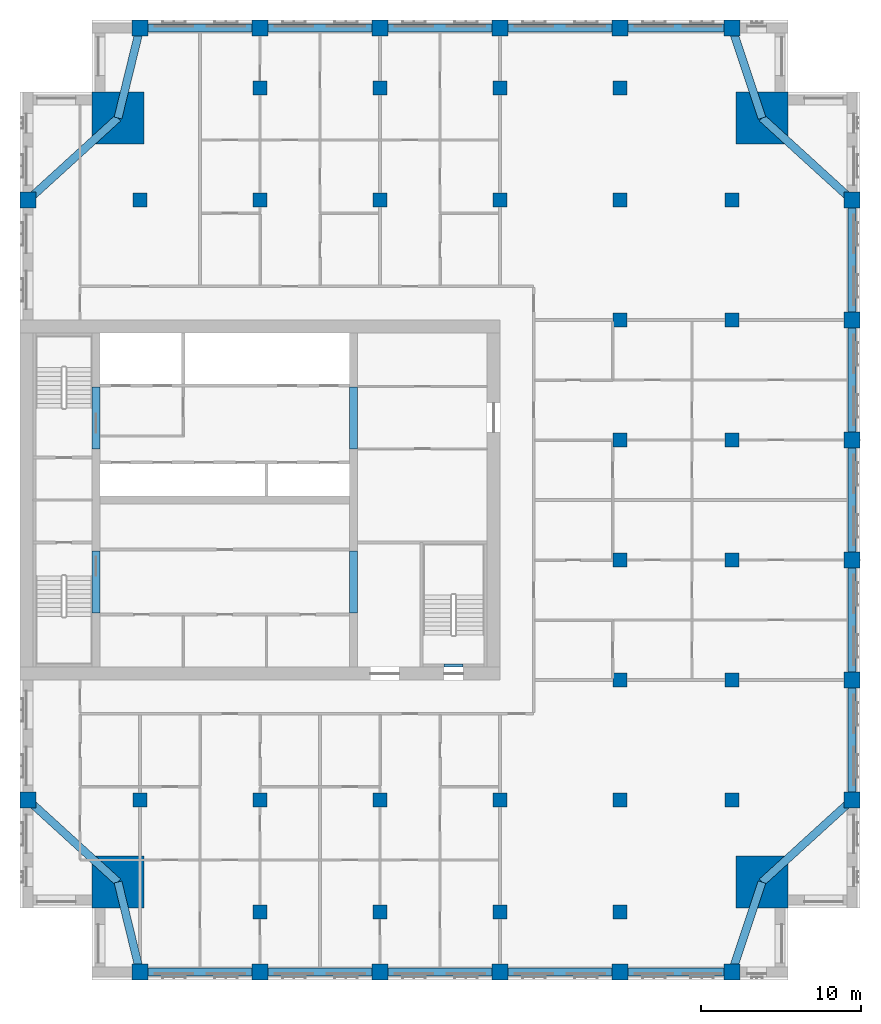
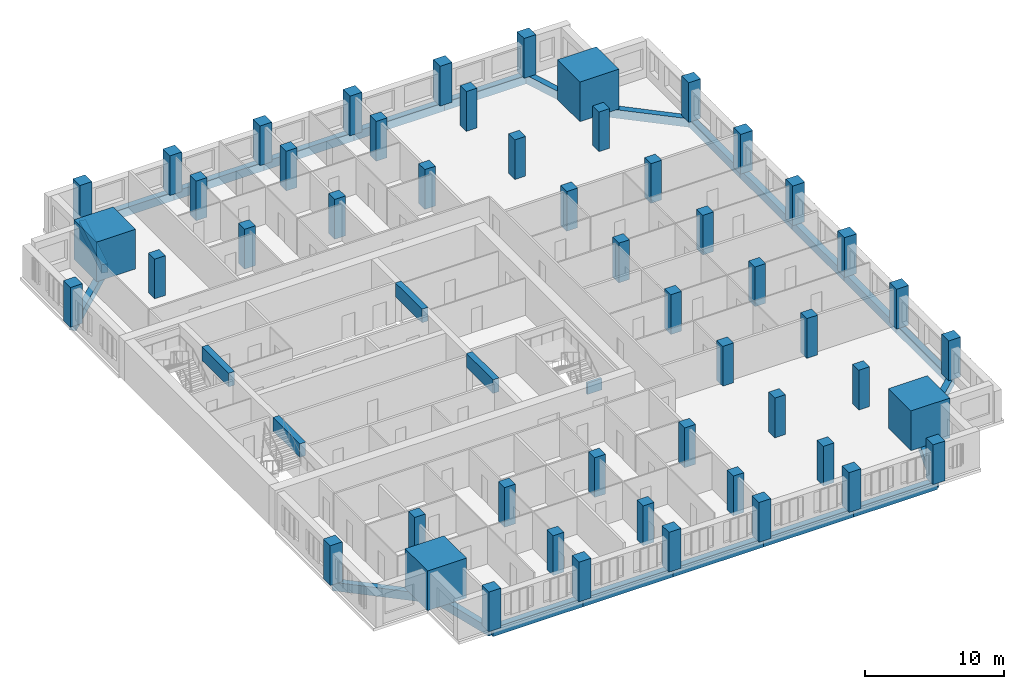
# One storey, part 1 of 14: 52 columns, 28 beams.
"""IFC4 building model written with IfcOpenShell, lengths in metres."""

from ifc_helpers import new_model, si_unit, direction, frame, origin, origin_2d, place, context, subcontext, project, spatial, rectangle, extrude, material, material_profile, profile_set, type_object, element, save


model = new_model("IFC4")

# Units and contexts
model_context = context("Model", 3, precision=1e-05, world=origin(), true_north=direction((0.0, 1.0)))
body_context = subcontext(model_context, "Body", "Model", "MODEL_VIEW")
ifc_project = project(units=[si_unit("LENGTHUNIT", "METRE"), si_unit("AREAUNIT", "SQUARE_METRE"), si_unit("VOLUMEUNIT", "CUBIC_METRE"), si_unit("PLANEANGLEUNIT", "RADIAN"), si_unit("MASSUNIT", "GRAM", prefix="KILO")], contexts=[model_context])

# Site, building, storey
site_placement = place(None, origin())
site = spatial("IfcSite", under=ifc_project, at=site_placement, CompositionType="ELEMENT")
building_placement = place(site_placement, origin())
building = spatial("IfcBuilding", under=site, at=building_placement, Name="Tamorin Gate", CompositionType="ELEMENT")
storey_placement = place(building_placement, frame((0.0, 0.0, 179.199951171875)))
storey = spatial("IfcBuildingStorey", under=building, at=storey_placement, Name="L43", CompositionType="ELEMENT", Elevation=179.199951171875)

# Columns
ifc_material_1 = material(Name="Concrete C60/75", Category="concrete")
ifc_material_profile_1 = material_profile(ifc_material_1, rectangle(XDim=1.0, YDim=1.0, at=origin_2d()), Name="RC 1000x1000")
ifc_profile_set_1 = profile_set([ifc_material_profile_1], Name="Concrete C60/75")
column_type_1 = type_object("IfcColumnType", Name="RC column 1000x1000 C60/75", PredefinedType="COLUMN", material=ifc_profile_set_1)
for number, where, z_axis, x_axis, name in (
    (1, (37.5, 41.75, 0.0), (0.0, 0.0, 1.0), (1.0, 0.0, 0.0), "Ring column L43"),
    (2, (45.0, 41.75, 0.0), (0.0, 0.0, 1.0), (1.0, 0.0, 0.0), "Ring column L43"),
    (3, (52.5, 41.75, 0.0), (0.0, 0.0, 1.0), (1.0, 0.0, 0.0), "Ring column L43"),
    (4, (60.0, 41.75, 0.0), (0.0, 0.0, 1.0), (1.0, 0.0, 0.0), "Ring column L43"),
    (5, (67.5, 41.75, 0.0), (0.0, 0.0, 1.0), (1.0, 0.0, 0.0), "Ring column L43"),
    (6, (74.5, 41.75, 0.0), (0.0, 0.0, 1.0), (1.0, 0.0, 0.0), "Ring column L43"),
    (7, (37.5, 100.75, 0.0), (0.0, 0.0, 1.0), (1.0, 0.0, 0.0), "Ring column L43"),
    (8, (45.0, 100.75, 0.0), (0.0, 0.0, 1.0), (1.0, 0.0, 0.0), "Ring column L43"),
    (9, (52.5, 100.75, 0.0), (0.0, 0.0, 1.0), (1.0, 0.0, 0.0), "Ring column L43"),
    (10, (60.0, 100.75, 0.0), (0.0, 0.0, 1.0), (1.0, 0.0, 0.0), "Ring column L43"),
    (11, (67.5, 100.75, 0.0), (0.0, 0.0, 1.0), (1.0, 0.0, 0.0), "Ring column L43"),
    (12, (74.5, 100.75, 0.0), (0.0, 0.0, 1.0), (1.0, 0.0, 0.0), "Ring column L43"),
    (13, (30.5, 52.5, 0.0), (0.0, 0.0, 1.0), (1.0, 0.0, 0.0), "Ring column L43"),
    (14, (30.5, 90.0, 0.0), (0.0, 0.0, 1.0), (1.0, 0.0, 0.0), "Ring column L43"),
    (15, (82.0, 52.5, 0.0), (0.0, 0.0, 1.0), (1.0, 0.0, 0.0), "Ring column L43"),
    (16, (82.0, 60.0, 0.0), (0.0, 0.0, 1.0), (1.0, 0.0, 0.0), "Ring column L43"),
    (17, (82.0, 67.5, 0.0), (0.0, 0.0, 1.0), (1.0, 0.0, 0.0), "Ring column L43"),
    (18, (82.0, 75.0, 0.0), (0.0, 0.0, 1.0), (1.0, 0.0, 0.0), "Ring column L43"),
    (19, (82.0, 82.5, 0.0), (0.0, 0.0, 1.0), (1.0, 0.0, 0.0), "Ring column L43"),
    (20, (82.0, 90.0, 0.0), (0.0, 0.0, 1.0), (1.0, 0.0, 0.0), "Ring column L43"),
):
    element("IfcColumn", number, at=place(storey_placement, frame(where, z_axis=z_axis, x_axis=x_axis)), inside=storey, type_object=column_type_1, Name=name, PredefinedType="COLUMN", context=body_context, shape_type="SweptSolid", body=[
        extrude(rectangle(XDim=1.0, YDim=1.0, at=origin_2d()), origin(), (0.0, 0.0, 1.0), 3.5),
    ])
ifc_material_profile_2 = material_profile(ifc_material_1, rectangle(XDim=3.25, YDim=3.25, at=origin_2d()), Name="RC 3250x3250")
ifc_profile_set_2 = profile_set([ifc_material_profile_2], Name="Concrete C60/75")
column_type_2 = type_object("IfcColumnType", Name="RC column 3250x3250 C60/75", PredefinedType="COLUMN", material=ifc_profile_set_2)
for number, where, z_axis, x_axis, name in (
    (21, (36.125, 47.375, 0.0), (0.0, 0.0, 1.0), (1.0, 0.0, 0.0), "Mega column SW L43"),
    (22, (76.375, 47.375, 0.0), (0.0, 0.0, 1.0), (1.0, 0.0, 0.0), "Mega column SE L43"),
    (23, (36.125, 95.125, 0.0), (0.0, 0.0, 1.0), (1.0, 0.0, 0.0), "Mega column NW L43"),
    (24, (76.375, 95.125, 0.0), (0.0, 0.0, 1.0), (1.0, 0.0, 0.0), "Mega column NE L43"),
):
    element("IfcColumn", number, at=place(storey_placement, frame(where, z_axis=z_axis, x_axis=x_axis)), inside=storey, type_object=column_type_2, Name=name, PredefinedType="COLUMN", context=body_context, shape_type="SweptSolid", body=[
        extrude(rectangle(XDim=3.25, YDim=3.25, at=origin_2d()), origin(), (0.0, 0.0, 1.0), 3.5),
    ])
ifc_material_profile_3 = material_profile(ifc_material_1, rectangle(XDim=0.89990234375, YDim=0.89990234375, at=origin_2d()), Name="RC 900x900")
ifc_profile_set_3 = profile_set([ifc_material_profile_3], Name="Concrete C60/75")
column_type_3 = type_object("IfcColumnType", Name="RC column 900x900 C60/75", PredefinedType="COLUMN", material=ifc_profile_set_3)
for number, where, z_axis, x_axis, name in (
    (25, (37.5, 52.5, 0.0), (0.0, 0.0, 1.0), (1.0, 0.0, 0.0), "Interior column L43"),
    (26, (37.5, 90.0, 0.0), (0.0, 0.0, 1.0), (1.0, 0.0, 0.0), "Interior column L43"),
    (27, (45.0, 45.5, 0.0), (0.0, 0.0, 1.0), (1.0, 0.0, 0.0), "Interior column L43"),
    (28, (45.0, 52.5, 0.0), (0.0, 0.0, 1.0), (1.0, 0.0, 0.0), "Interior column L43"),
    (29, (45.0, 90.0, 0.0), (0.0, 0.0, 1.0), (1.0, 0.0, 0.0), "Interior column L43"),
    (30, (45.0, 97.0, 0.0), (0.0, 0.0, 1.0), (1.0, 0.0, 0.0), "Interior column L43"),
    (31, (52.5, 45.5, 0.0), (0.0, 0.0, 1.0), (1.0, 0.0, 0.0), "Interior column L43"),
    (32, (52.5, 52.5, 0.0), (0.0, 0.0, 1.0), (1.0, 0.0, 0.0), "Interior column L43"),
    (33, (52.5, 90.0, 0.0), (0.0, 0.0, 1.0), (1.0, 0.0, 0.0), "Interior column L43"),
    (34, (52.5, 97.0, 0.0), (0.0, 0.0, 1.0), (1.0, 0.0, 0.0), "Interior column L43"),
    (35, (60.0, 45.5, 0.0), (0.0, 0.0, 1.0), (1.0, 0.0, 0.0), "Interior column L43"),
    (36, (60.0, 52.5, 0.0), (0.0, 0.0, 1.0), (1.0, 0.0, 0.0), "Interior column L43"),
    (37, (60.0, 90.0, 0.0), (0.0, 0.0, 1.0), (1.0, 0.0, 0.0), "Interior column L43"),
    (38, (60.0, 97.0, 0.0), (0.0, 0.0, 1.0), (1.0, 0.0, 0.0), "Interior column L43"),
    (39, (67.5, 45.5, 0.0), (0.0, 0.0, 1.0), (1.0, 0.0, 0.0), "Interior column L43"),
    (40, (67.5, 52.5, 0.0), (0.0, 0.0, 1.0), (1.0, 0.0, 0.0), "Interior column L43"),
    (41, (67.5, 60.0, 0.0), (0.0, 0.0, 1.0), (1.0, 0.0, 0.0), "Interior column L43"),
    (42, (67.5, 67.5, 0.0), (0.0, 0.0, 1.0), (1.0, 0.0, 0.0), "Interior column L43"),
    (43, (67.5, 75.0, 0.0), (0.0, 0.0, 1.0), (1.0, 0.0, 0.0), "Interior column L43"),
    (44, (67.5, 82.5, 0.0), (0.0, 0.0, 1.0), (1.0, 0.0, 0.0), "Interior column L43"),
    (45, (67.5, 90.0, 0.0), (0.0, 0.0, 1.0), (1.0, 0.0, 0.0), "Interior column L43"),
    (46, (67.5, 97.0, 0.0), (0.0, 0.0, 1.0), (1.0, 0.0, 0.0), "Interior column L43"),
    (47, (74.5, 52.5, 0.0), (0.0, 0.0, 1.0), (1.0, 0.0, 0.0), "Interior column L43"),
    (48, (74.5, 60.0, 0.0), (0.0, 0.0, 1.0), (1.0, 0.0, 0.0), "Interior column L43"),
    (49, (74.5, 67.5, 0.0), (0.0, 0.0, 1.0), (1.0, 0.0, 0.0), "Interior column L43"),
    (50, (74.5, 75.0, 0.0), (0.0, 0.0, 1.0), (1.0, 0.0, 0.0), "Interior column L43"),
    (51, (74.5, 82.5, 0.0), (0.0, 0.0, 1.0), (1.0, 0.0, 0.0), "Interior column L43"),
    (52, (74.5, 90.0, 0.0), (0.0, 0.0, 1.0), (1.0, 0.0, 0.0), "Interior column L43"),
):
    element("IfcColumn", number, at=place(storey_placement, frame(where, z_axis=z_axis, x_axis=x_axis)), inside=storey, type_object=column_type_3, Name=name, PredefinedType="COLUMN", context=body_context, shape_type="SweptSolid", body=[
        extrude(rectangle(XDim=0.89990234375, YDim=0.89990234375, at=origin_2d()), origin(), (0.0, 0.0, 1.0), 3.5),
    ])

# Beams
ifc_material_profile_4 = material_profile(ifc_material_1, rectangle(XDim=0.5, YDim=1.199951171875, at=origin_2d()), Name="RC 500x1200")
ifc_profile_set_4 = profile_set([ifc_material_profile_4], Name="Concrete C60/75")
beam_type_1 = type_object("IfcBeamType", Name="RC coupling beam 500x1200 C60/75", PredefinedType="BEAM", material=ifc_profile_set_4)
for number, where, z_axis, x_axis, name in (
    (53, (34.75, 64.199951171875, 2.900146484375), (0.0, 1.0, 0.0), (-1.0, 0.0, 0.0), "Coupling beam L43"),
    (54, (34.75, 74.449951171875, 2.900146484375), (0.0, 1.0, 0.0), (-1.0, 0.0, 0.0), "Coupling beam L43"),
    (55, (50.85009765625, 64.199951171875, 2.900146484375), (0.0, 1.0, 0.0), (-1.0, 0.0, 0.0), "Coupling beam L43"),
    (56, (50.85009765625, 74.449951171875, 2.900146484375), (0.0, 1.0, 0.0), (-1.0, 0.0, 0.0), "Coupling beam L43"),
):
    element("IfcBeam", number, at=place(storey_placement, frame(where, z_axis=z_axis, x_axis=x_axis)), inside=storey, type_object=beam_type_1, Name=name, PredefinedType="BEAM", context=body_context, shape_type="SweptSolid", body=[
        extrude(rectangle(XDim=0.5, YDim=1.199951171875, at=origin_2d()), origin(), (0.0, 0.0, 1.0), 3.85009765625),
    ])
ifc_material_2 = material(Name="Concrete C50/60", Category="concrete")
ifc_material_profile_5 = material_profile(ifc_material_2, rectangle(XDim=0.5, YDim=0.75, at=origin_2d()), Name="RC 500x750")
ifc_profile_set_5 = profile_set([ifc_material_profile_5], Name="Concrete C50/60")
beam_type_2 = type_object("IfcBeamType", Name="RC spandrel 500x750 C50/60", PredefinedType="BEAM", material=ifc_profile_set_5)
for number, where, z_axis, x_axis, name in (
    (57, (37.5, 41.75, -0.375), (1.0, 0.0, 0.0), (0.0, 1.0, 0.0), "Spandrel beam L43"),
    (58, (45.0, 41.75, -0.375), (1.0, 0.0, 0.0), (0.0, 1.0, 0.0), "Spandrel beam L43"),
    (59, (52.5, 41.75, -0.375), (1.0, 0.0, 0.0), (0.0, 1.0, 0.0), "Spandrel beam L43"),
    (60, (60.0, 41.75, -0.375), (1.0, 0.0, 0.0), (0.0, 1.0, 0.0), "Spandrel beam L43"),
):
    element("IfcBeam", number, at=place(storey_placement, frame(where, z_axis=z_axis, x_axis=x_axis)), inside=storey, type_object=beam_type_2, Name=name, PredefinedType="BEAM", context=body_context, shape_type="SweptSolid", body=[
        extrude(rectangle(XDim=0.5, YDim=0.75, at=origin_2d()), origin(), (0.0, 0.0, 1.0), 7.5),
    ])
beam_1_placement = place(storey_placement, frame((67.5, 41.75, -0.375), z_axis=(1.0, 0.0, 0.0), x_axis=(0.0, 1.0, 0.0)))
element("IfcBeam", 61, at=beam_1_placement, inside=storey, type_object=beam_type_2, Name="Spandrel beam L43", PredefinedType="BEAM", context=body_context, shape_type="SweptSolid", body=[
    extrude(rectangle(XDim=0.5, YDim=0.75, at=origin_2d()), origin(), (0.0, 0.0, 1.0), 7.0),
])
for number, where, z_axis, x_axis, name in (
    (62, (82.0, 52.5, -0.375), (0.0, 1.0, 0.0), (-1.0, 0.0, 0.0), "Spandrel beam L43"),
    (63, (82.0, 60.0, -0.375), (0.0, 1.0, 0.0), (-1.0, 0.0, 0.0), "Spandrel beam L43"),
    (64, (82.0, 67.5, -0.375), (0.0, 1.0, 0.0), (-1.0, 0.0, 0.0), "Spandrel beam L43"),
    (65, (82.0, 75.0, -0.375), (0.0, 1.0, 0.0), (-1.0, 0.0, 0.0), "Spandrel beam L43"),
    (66, (82.0, 82.5, -0.375), (0.0, 1.0, 0.0), (-1.0, 0.0, 0.0), "Spandrel beam L43"),
):
    element("IfcBeam", number, at=place(storey_placement, frame(where, z_axis=z_axis, x_axis=x_axis)), inside=storey, type_object=beam_type_2, Name=name, PredefinedType="BEAM", context=body_context, shape_type="SweptSolid", body=[
        extrude(rectangle(XDim=0.5, YDim=0.75, at=origin_2d()), origin(), (0.0, 0.0, 1.0), 7.5),
    ])
beam_2_placement = place(storey_placement, frame((74.5, 100.75, -0.375), z_axis=(-1.0, 0.0, 0.0), x_axis=(0.0, -1.0, 0.0)))
element("IfcBeam", 67, at=beam_2_placement, inside=storey, type_object=beam_type_2, Name="Spandrel beam L43", PredefinedType="BEAM", context=body_context, shape_type="SweptSolid", body=[
    extrude(rectangle(XDim=0.5, YDim=0.75, at=origin_2d()), origin(), (0.0, 0.0, 1.0), 7.0),
])
for number, where, z_axis, x_axis, name in (
    (68, (67.5, 100.75, -0.375), (-1.0, 0.0, 0.0), (0.0, -1.0, 0.0), "Spandrel beam L43"),
    (69, (60.0, 100.75, -0.375), (-1.0, 0.0, 0.0), (0.0, -1.0, 0.0), "Spandrel beam L43"),
    (70, (52.5, 100.75, -0.375), (-1.0, 0.0, 0.0), (0.0, -1.0, 0.0), "Spandrel beam L43"),
    (71, (45.0, 100.75, -0.375), (-1.0, 0.0, 0.0), (0.0, -1.0, 0.0), "Spandrel beam L43"),
):
    element("IfcBeam", number, at=place(storey_placement, frame(where, z_axis=z_axis, x_axis=x_axis)), inside=storey, type_object=beam_type_2, Name=name, PredefinedType="BEAM", context=body_context, shape_type="SweptSolid", body=[
        extrude(rectangle(XDim=0.5, YDim=0.75, at=origin_2d()), origin(), (0.0, 0.0, 1.0), 7.5),
    ])
beam_3_placement = place(storey_placement, frame((36.125, 47.375, -0.375), z_axis=(0.237453090477, -0.971399006497, 0.0), x_axis=(0.971399006497, 0.237453090477, 0.0)))
element("IfcBeam", 72, at=beam_3_placement, inside=storey, type_object=beam_type_2, Name="Corner tie beam L43", PredefinedType="BEAM", context=body_context, shape_type="SweptSolid", body=[
    extrude(rectangle(XDim=0.5, YDim=0.75, at=origin_2d()), origin(), (0.0, 0.0, 1.0), 5.79052734375),
])
beam_4_placement = place(storey_placement, frame((36.125, 47.375, -0.375), z_axis=(-0.739196337275, 0.673489996184, 0.0), x_axis=(-0.673489996184, -0.739196337275, 0.0)))
element("IfcBeam", 73, at=beam_4_placement, inside=storey, type_object=beam_type_2, Name="Corner tie beam L43", PredefinedType="BEAM", context=body_context, shape_type="SweptSolid", body=[
    extrude(rectangle(XDim=0.5, YDim=0.75, at=origin_2d()), origin(), (0.0, 0.0, 1.0), 7.609619140625),
])
beam_5_placement = place(storey_placement, frame((76.375, 47.375, -0.375), z_axis=(-0.316227766017, -0.948683298051, 0.0), x_axis=(0.948683298051, -0.316227766017, 0.0)))
element("IfcBeam", 74, at=beam_5_placement, inside=storey, type_object=beam_type_2, Name="Corner tie beam L43", PredefinedType="BEAM", context=body_context, shape_type="SweptSolid", body=[
    extrude(rectangle(XDim=0.5, YDim=0.75, at=origin_2d()), origin(), (0.0, 0.0, 1.0), 5.92919921875),
])
beam_6_placement = place(storey_placement, frame((76.375, 47.375, -0.375), z_axis=(0.739196337275, 0.673489996184, 0.0), x_axis=(-0.673489996184, 0.739196337275, 0.0)))
element("IfcBeam", 75, at=beam_6_placement, inside=storey, type_object=beam_type_2, Name="Corner tie beam L43", PredefinedType="BEAM", context=body_context, shape_type="SweptSolid", body=[
    extrude(rectangle(XDim=0.5, YDim=0.75, at=origin_2d()), origin(), (0.0, 0.0, 1.0), 7.609619140625),
])
beam_7_placement = place(storey_placement, frame((36.125, 95.125, -0.375), z_axis=(0.237453090477, 0.971399006497, 0.0), x_axis=(-0.971399006497, 0.237453090477, 0.0)))
element("IfcBeam", 76, at=beam_7_placement, inside=storey, type_object=beam_type_2, Name="Corner tie beam L43", PredefinedType="BEAM", context=body_context, shape_type="SweptSolid", body=[
    extrude(rectangle(XDim=0.5, YDim=0.75, at=origin_2d()), origin(), (0.0, 0.0, 1.0), 5.79052734375),
])
beam_8_placement = place(storey_placement, frame((36.125, 95.125, -0.375), z_axis=(-0.739196337275, -0.673489996184, 0.0), x_axis=(0.673489996184, -0.739196337275, 0.0)))
element("IfcBeam", 77, at=beam_8_placement, inside=storey, type_object=beam_type_2, Name="Corner tie beam L43", PredefinedType="BEAM", context=body_context, shape_type="SweptSolid", body=[
    extrude(rectangle(XDim=0.5, YDim=0.75, at=origin_2d()), origin(), (0.0, 0.0, 1.0), 7.609619140625),
])
beam_9_placement = place(storey_placement, frame((76.375, 95.125, -0.375), z_axis=(-0.316227766017, 0.948683298051, 0.0), x_axis=(-0.948683298051, -0.316227766017, 0.0)))
element("IfcBeam", 78, at=beam_9_placement, inside=storey, type_object=beam_type_2, Name="Corner tie beam L43", PredefinedType="BEAM", context=body_context, shape_type="SweptSolid", body=[
    extrude(rectangle(XDim=0.5, YDim=0.75, at=origin_2d()), origin(), (0.0, 0.0, 1.0), 5.92919921875),
])
beam_10_placement = place(storey_placement, frame((76.375, 95.125, -0.375), z_axis=(0.739196337275, -0.673489996184, 0.0), x_axis=(0.673489996184, 0.739196337275, 0.0)))
element("IfcBeam", 79, at=beam_10_placement, inside=storey, type_object=beam_type_2, Name="Corner tie beam L43", PredefinedType="BEAM", context=body_context, shape_type="SweptSolid", body=[
    extrude(rectangle(XDim=0.5, YDim=0.75, at=origin_2d()), origin(), (0.0, 0.0, 1.0), 7.609619140625),
])
ifc_material_profile_6 = material_profile(ifc_material_1, rectangle(XDim=0.199951171875, YDim=1.0, at=origin_2d()))
ifc_profile_set_6 = profile_set([ifc_material_profile_6], Name="Concrete C60/75")
beam_type_3 = type_object("IfcBeamType", Name="Stair lintel 200x1000 C60/75", PredefinedType="BEAM", material=ifc_profile_set_6)
beam_11_placement = place(storey_placement, frame((56.5, 60.89990234375, 2.699951171875), z_axis=(1.0, 0.0, 0.0), x_axis=(0.0, 1.0, 0.0)))
element("IfcBeam", 80, at=beam_11_placement, inside=storey, type_object=beam_type_3, Name="Stair lintel", PredefinedType="BEAM", context=body_context, shape_type="SweptSolid", body=[
    extrude(rectangle(XDim=0.199951171875, YDim=1.0, at=origin_2d()), origin(), (0.0, 0.0, 1.0), 1.199951171875),
])

save(model, "model.ifc")
